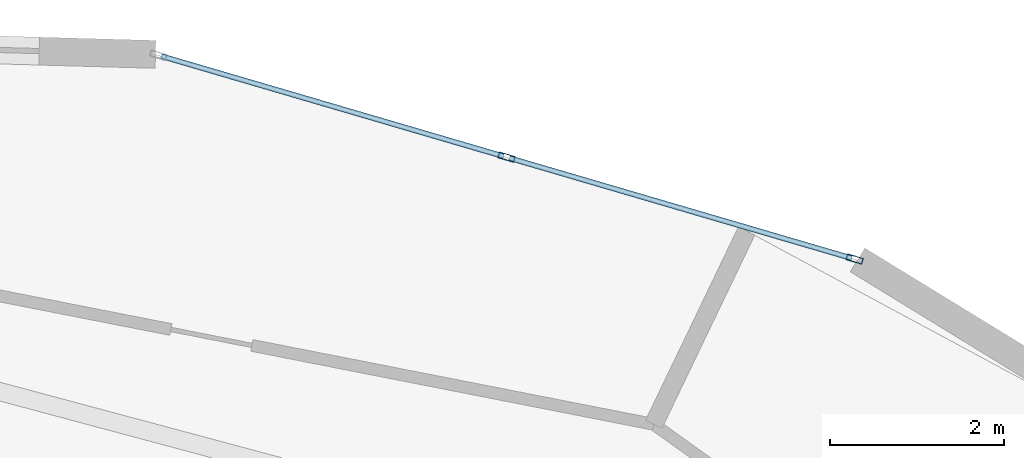
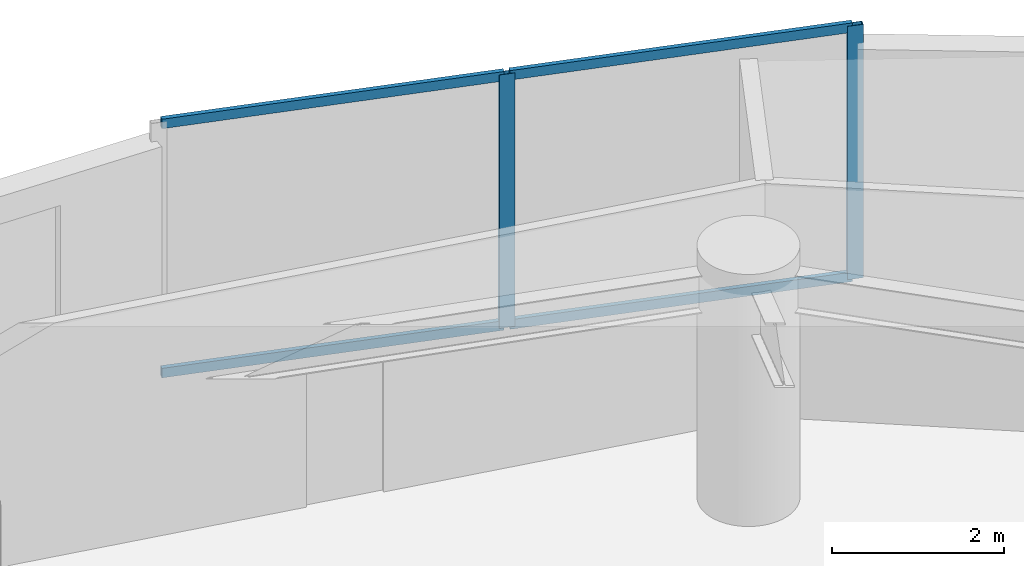
# One storey, part 15 of 23: 6 members, 1 element without a shape of its own.
"""IFC4 building model written with IfcOpenShell, lengths in metres."""

from ifc_helpers import new_model, si_unit, direction, frame, origin, origin_2d, place, context, subcontext, project, spatial, hollow_rectangle, extrude, source, transform, mapped, material, layer, layer_set, material_profile, profile_set, type_object, element, aggregate, save


model = new_model("IFC4")

# Units and contexts
model_context = context("Model", 3, precision=1e-05, world=origin(), true_north=direction((0.0, 1.0)))
body_context = subcontext(model_context, "Body", "Model", "MODEL_VIEW")
ifc_project = project(units=[si_unit("LENGTHUNIT", "METRE"), si_unit("AREAUNIT", "SQUARE_METRE"), si_unit("VOLUMEUNIT", "CUBIC_METRE"), si_unit("PLANEANGLEUNIT", "RADIAN"), si_unit("MASSUNIT", "GRAM", prefix="KILO")], contexts=[model_context])

# Site, building, storey
site_placement = place(None, origin())
site = spatial("IfcSite", under=ifc_project, at=site_placement, CompositionType="ELEMENT")
building_placement = place(site_placement, origin())
building = spatial("IfcBuilding", under=site, at=building_placement, Name="Solvirekh Grand Hotel", CompositionType="ELEMENT")
storey_placement = place(building_placement, frame((0.0, 0.0, 42.800048828125)))
storey = spatial("IfcBuildingStorey", under=building, at=storey_placement, Name="L09", CompositionType="ELEMENT", Elevation=42.800048828125)

# Curtain wall, members
ifc_material = material(Name="Anodized Bronze Aluminium 6063-T6", Category="aluminium")
ifc_layer = layer(ifc_material, 0.18994140625)
ifc_layer_set = layer_set([ifc_layer], Name="Anodized Bronze Aluminium 6063-T6")
curtain_wall_type = type_object("IfcCurtainWallType", Name="CW_Sys2_LowZoneFlushBronzeCW", PredefinedType="NOTDEFINED", material=ifc_layer_set)
curtain_wall_placement = place(storey_placement, origin())
curtain_wall = element("IfcCurtainWall", 1, at=curtain_wall_placement, inside=storey, type_object=curtain_wall_type, Name="L09 unitised bronze-glass curtain wall CW-L09-C05", PredefinedType="NOTDEFINED")
ifc_material_profile_1 = material_profile(ifc_material, hollow_rectangle(XDim=0.06005859375, YDim=0.135009765625, WallThickness=0.00390625, at=origin_2d()), Name="ALU RHS 135X60X4")
ifc_profile_set_1 = profile_set([ifc_material_profile_1], Name="Anodized Bronze Aluminium 6063-T6")
member_type_1 = type_object("IfcMemberType", Name="CWTransom_Sys2", PredefinedType="USERDEFINED", material=ifc_profile_set_1)
shared_shape_1 = source(origin(), body_context, "Body", "SweptSolid", [
    extrude(hollow_rectangle(XDim=0.06005859375, YDim=0.135009765625, WallThickness=0.00390625, at=origin_2d()), origin(), (0.0, 0.0, 1.0), 4.1015625),
])
member_1_placement = place(storey_placement, frame((12.582763671875, 19.3876953125, 0.030029296875), z_axis=(-0.959704132115, 0.281012417522, 0.0), x_axis=(-0.281012417522, -0.959704132115, 0.0)))
member_1 = element("IfcMember", 2, at=member_1_placement, type_object=member_type_1, Name="U02 transom 1.1", ObjectType="TRANSOM", PredefinedType="USERDEFINED", context=body_context, shape_type="MappedRepresentation", body=[
    mapped(shared_shape_1, transform((0.0, 0.0, 0.0), x_axis=(1.0, 0.0, 0.0), y_axis=(0.0, 1.0, 0.0), z_axis=(0.0, 0.0, 1.0), scale=1.0)),
])
member_2_placement = place(storey_placement, frame((12.582763671875, 19.3876953125, 3.570068359375), z_axis=(-0.959704132115, 0.281012417522, 0.0), x_axis=(-0.281012417522, -0.959704132115, 0.0)))
member_2 = element("IfcMember", 3, at=member_2_placement, type_object=member_type_1, Name="U02 transom 1.2", ObjectType="TRANSOM", PredefinedType="USERDEFINED", context=body_context, shape_type="MappedRepresentation", body=[
    mapped(shared_shape_1, transform((0.0, 0.0, 0.0), x_axis=(1.0, 0.0, 0.0), y_axis=(0.0, 1.0, 0.0), z_axis=(0.0, 0.0, 1.0), scale=1.0)),
])
member_3_placement = place(storey_placement, frame((8.579345703125, 20.559814453125, 0.030029296875), z_axis=(-0.959704132115, 0.281012417522, 0.0), x_axis=(-0.281012417522, -0.959704132115, 0.0)))
member_3 = element("IfcMember", 4, at=member_3_placement, type_object=member_type_1, Name="U02 transom 2.1", ObjectType="TRANSOM", PredefinedType="USERDEFINED", context=body_context, shape_type="MappedRepresentation", body=[
    mapped(shared_shape_1, transform((0.0, 0.0, 0.0), x_axis=(1.0, 0.0, 0.0), y_axis=(0.0, 1.0, 0.0), z_axis=(0.0, 0.0, 1.0), scale=1.0)),
])
member_4_placement = place(storey_placement, frame((8.579345703125, 20.559814453125, 3.570068359375), z_axis=(-0.959704132115, 0.281012417522, 0.0), x_axis=(-0.281012417522, -0.959704132115, 0.0)))
member_4 = element("IfcMember", 5, at=member_4_placement, type_object=member_type_1, Name="U02 transom 2.2", ObjectType="TRANSOM", PredefinedType="USERDEFINED", context=body_context, shape_type="MappedRepresentation", body=[
    mapped(shared_shape_1, transform((0.0, 0.0, 0.0), x_axis=(1.0, 0.0, 0.0), y_axis=(0.0, 1.0, 0.0), z_axis=(0.0, 0.0, 1.0), scale=1.0)),
])
ifc_material_profile_2 = material_profile(ifc_material, hollow_rectangle(XDim=0.070068359375, YDim=0.18994140625, WallThickness=0.0048828125, at=origin_2d()), Name="ALU RHS 190X70X5")
ifc_profile_set_2 = profile_set([ifc_material_profile_2], Name="Anodized Bronze Aluminium 6063-T6")
member_type_2 = type_object("IfcMemberType", Name="CWMullion_Sys2", PredefinedType="MULLION", material=ifc_profile_set_2)
shared_shape_2 = source(origin(), body_context, "Body", "SweptSolid", [
    extrude(hollow_rectangle(XDim=0.070068359375, YDim=0.18994140625, WallThickness=0.0048828125, at=origin_2d()), origin(), (0.0, 0.0, 1.0), 3.599853515625),
])
member_5_placement = place(storey_placement, frame((12.616455078125, 19.3779296875, 0.0), z_axis=(0.0, 0.0, 1.0), x_axis=(-0.280994885282, -0.959709265583, 0.0)))
member_5 = element("IfcMember", 6, at=member_5_placement, type_object=member_type_2, Name="U02 mullion 1", PredefinedType="MULLION", context=body_context, shape_type="MappedRepresentation", body=[
    mapped(shared_shape_2, transform((0.0, 0.0, 0.0), x_axis=(1.0, 0.0, 0.0), y_axis=(0.0, 1.0, 0.0), z_axis=(0.0, 0.0, 1.0), scale=1.0)),
])
member_6_placement = place(storey_placement, frame((8.613037109375, 20.550048828125, 0.0), z_axis=(0.0, 0.0, 1.0), x_axis=(-0.280994885282, -0.959709265583, 0.0)))
member_6 = element("IfcMember", 7, at=member_6_placement, type_object=member_type_2, Name="U02 mullion 2", PredefinedType="MULLION", context=body_context, shape_type="MappedRepresentation", body=[
    mapped(shared_shape_2, transform((0.0, 0.0, 0.0), x_axis=(1.0, 0.0, 0.0), y_axis=(0.0, 1.0, 0.0), z_axis=(0.0, 0.0, 1.0), scale=1.0)),
])
aggregate(curtain_wall, [member_5, member_6, member_1, member_2, member_3, member_4])

save(model, "model.ifc")
